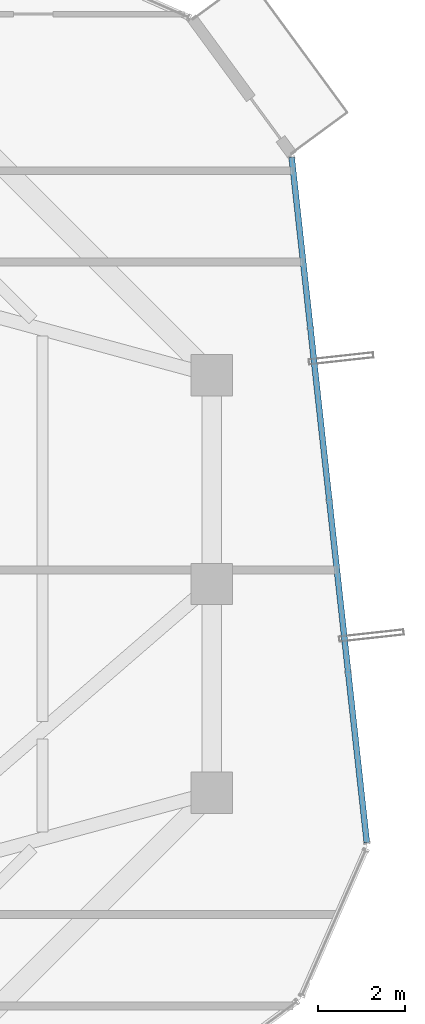
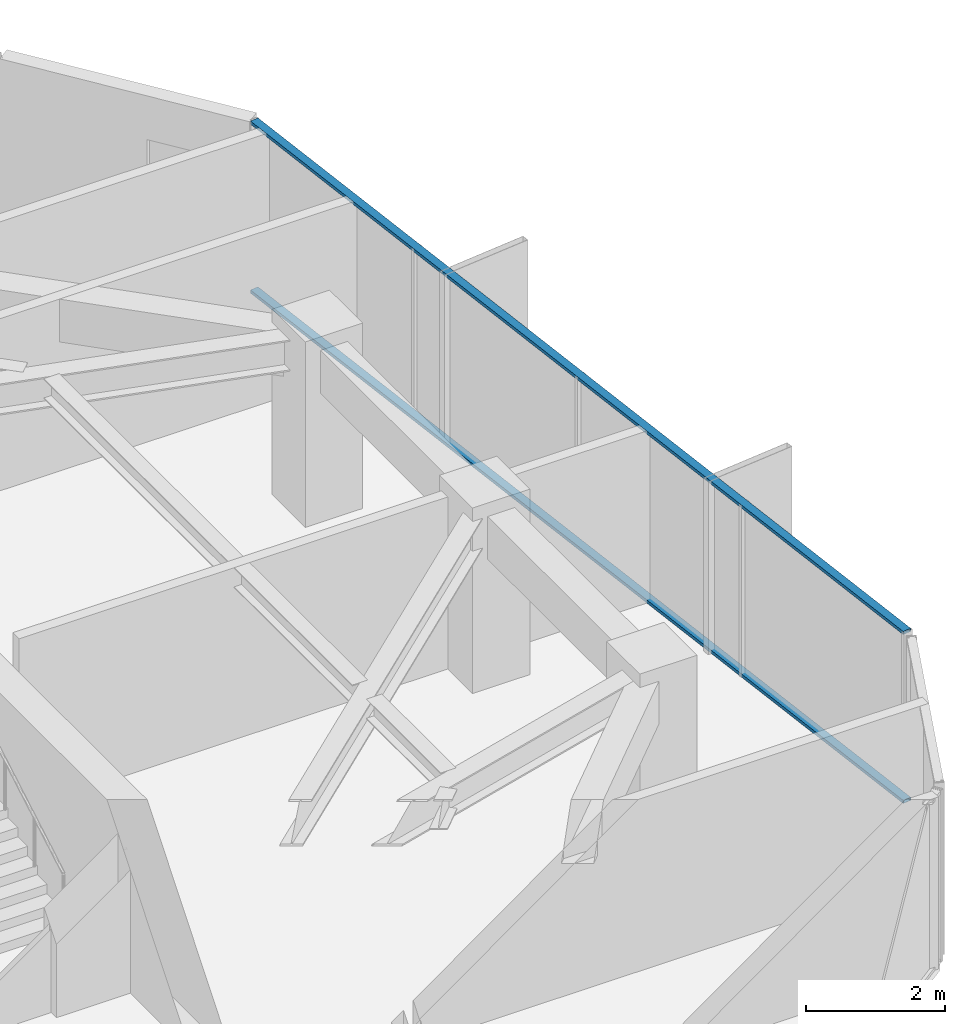
# One storey, part 19 of 32: 2 members, 1 element without a shape of its own.
"""IFC4 building model written with IfcOpenShell, lengths in metres."""

from ifc_helpers import new_model, si_unit, direction, frame, origin, origin_2d, place, context, subcontext, project, spatial, hollow_rectangle, extrude, source, transform, mapped, material, layer, layer_set, material_profile, profile_set, type_object, element, aggregate, save


model = new_model("IFC4")

# Units and contexts
model_context = context("Model", 3, precision=1e-05, world=origin(), true_north=direction((0.0, 1.0)))
body_context = subcontext(model_context, "Body", "Model", "MODEL_VIEW")
ifc_project = project(units=[si_unit("LENGTHUNIT", "METRE"), si_unit("AREAUNIT", "SQUARE_METRE"), si_unit("VOLUMEUNIT", "CUBIC_METRE"), si_unit("PLANEANGLEUNIT", "RADIAN"), si_unit("MASSUNIT", "GRAM", prefix="KILO")], contexts=[model_context])

# Site, building, storey
site_placement = place(None, origin())
site = spatial("IfcSite", under=ifc_project, at=site_placement, CompositionType="ELEMENT")
building_placement = place(site_placement, origin())
building = spatial("IfcBuilding", under=site, at=building_placement, Name="Veraguas Prism Commons", CompositionType="ELEMENT")
storey_placement = place(building_placement, frame((0.0, 0.0, 185.35009765625)))
storey = spatial("IfcBuildingStorey", under=building, at=storey_placement, Name="L52", CompositionType="ELEMENT", Elevation=185.35009765625)

# Curtain wall, members
ifc_material = material(Name="Anodised aluminium EN AW-6063 T6", Category="aluminium")
ifc_layer = layer(ifc_material, 0.14990234375, Name="Unitised Flush Curtain Wall Zone 3", Category="aluminium")
ifc_layer_set = layer_set([ifc_layer], Name="Anodised aluminium EN AW-6063 T6")
curtain_wall_type = type_object("IfcCurtainWallType", Name="Unitised Flush Curtain Wall Zone 3", PredefinedType="NOTDEFINED", material=ifc_layer_set)
curtain_wall_placement = place(storey_placement, origin())
curtain_wall = element("IfcCurtainWall", 1, at=curtain_wall_placement, inside=storey, type_object=curtain_wall_type, Name="Tower Facade Curtain Wall L52-F6", PredefinedType="NOTDEFINED")
ifc_material_profile = material_profile(ifc_material, hollow_rectangle(XDim=0.054931640625, YDim=0.135009765625, WallThickness=0.0029296875, at=origin_2d()), Name="AL55X135X3")
ifc_profile_set = profile_set([ifc_material_profile], Name="Anodised aluminium EN AW-6063 T6")
member_type = type_object("IfcMemberType", Name="Curtain Wall Transom Standard AL 55x135x3", PredefinedType="USERDEFINED", material=ifc_profile_set)
shared_shape = source(origin(), body_context, "Body", "SweptSolid", [
    extrude(hollow_rectangle(XDim=0.054931640625, YDim=0.135009765625, WallThickness=0.0029296875, at=origin_2d()), origin(), (0.0, 0.0, 1.0), 15.842529296875),
])
member_1_placement = place(storey_placement, frame((42.468505859375, 18.05712890625, 0.02734375), z_axis=(-0.109044476369, 0.994036871637, 0.0), x_axis=(0.0, 0.0, 1.0)))
member_1 = element("IfcMember", 2, at=member_1_placement, type_object=member_type, Name="CW-Z3 Transom 1", ObjectType="TRANSOM", PredefinedType="USERDEFINED", context=body_context, shape_type="MappedRepresentation", body=[
    mapped(shared_shape, transform((0.0, 0.0, 0.0), scale=1.0)),
])
member_2_placement = place(storey_placement, frame((42.468505859375, 18.05712890625, 2.9873046875), z_axis=(-0.109044476369, 0.994036871637, 0.0), x_axis=(0.0, 0.0, 1.0)))
member_2 = element("IfcMember", 3, at=member_2_placement, type_object=member_type, Name="CW-Z3 Transom 2", ObjectType="TRANSOM", PredefinedType="USERDEFINED", context=body_context, shape_type="MappedRepresentation", body=[
    mapped(shared_shape, transform((0.0, 0.0, 0.0), scale=1.0)),
])
aggregate(curtain_wall, [member_1, member_2])

save(model, "model.ifc")
